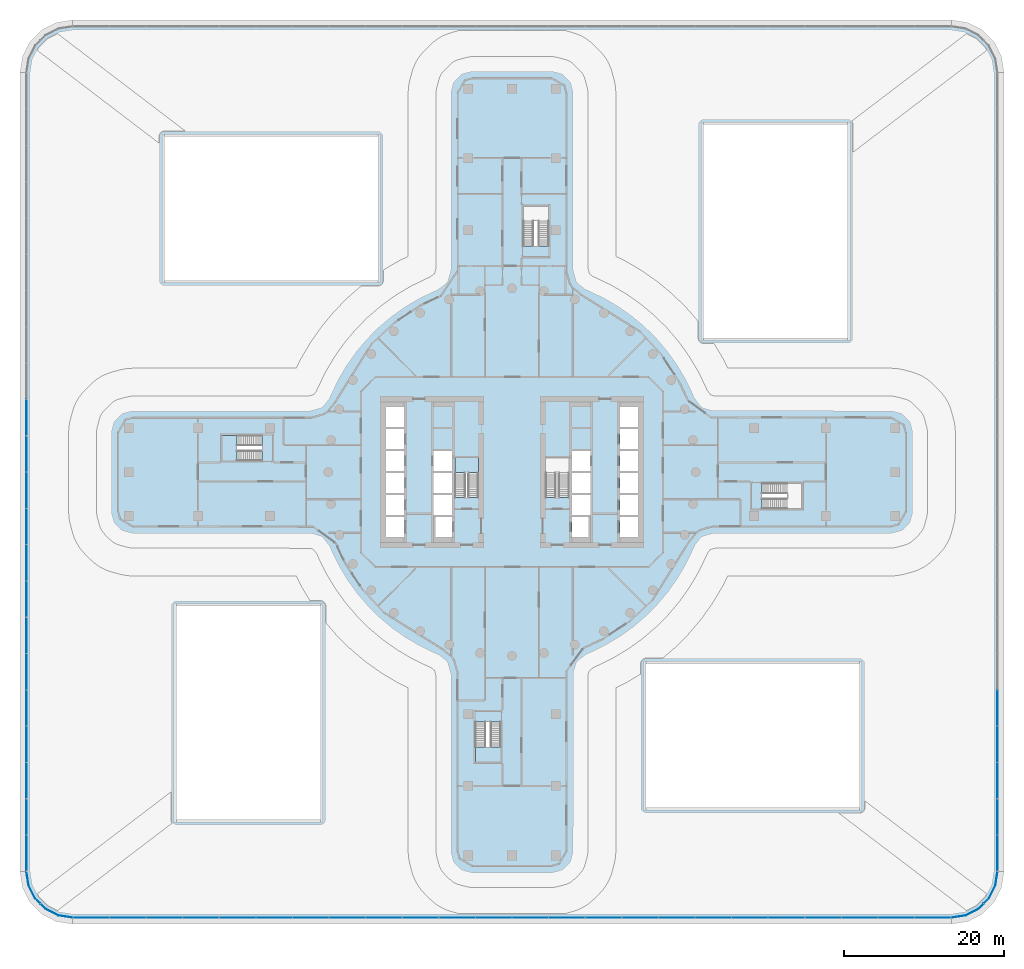
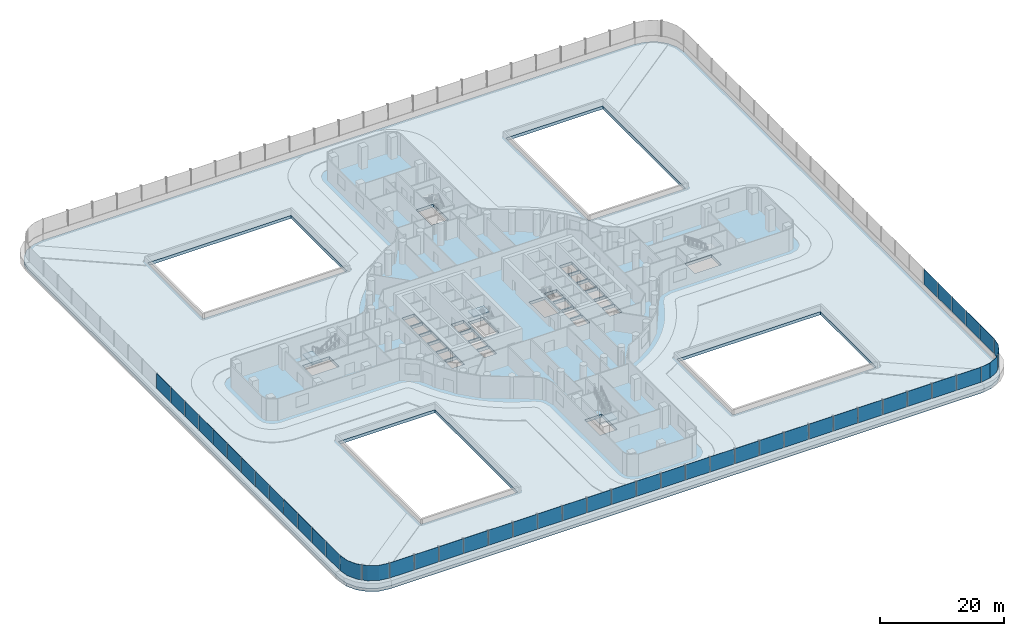
# One storey, part 20 of 37: 46 plates, 4 slabs, 8 elements without a shape of their own.
"""IFC4 building model written with IfcOpenShell, lengths in metres."""

import ifcopenshell
import ifcopenshell.guid

model = None  # the IFC model being written
_history = None  # IfcOwnerHistory: only IFC2X3 demands one
_inside = {}  # id of a spatial element -> (the spatial element, [elements in it])
_under = {}  # id of a project, library or spatial element -> (it, [spatial elements below it])
_declared = {}  # id of a project -> (the project, [libraries it declares])
_typed = {}  # id of a type object -> (the type object, [elements of that type])
_made_of = {}  # id of a material, layer set ... -> (it, [elements and type objects made of it])


def new_model(schema):
    """Start an empty IFC model of exactly this schema.

    Asked for "IFC4X3", IfcOpenShell would pick the latest addendum, in which some entities
    have other attributes; the version numbers below select the first issue.
    IFC2X3 requires an IfcOwnerHistory on every rooted entity: one is made here for all.
    """
    global model, _history
    if schema == "IFC4X3":
        model = ifcopenshell.file(schema_version=(4, 3, 0, 0))
    else:
        model = ifcopenshell.file(schema=schema)
    _inside.clear()
    _under.clear()
    _declared.clear()
    _typed.clear()
    _made_of.clear()
    _history = None
    if model.schema == "IFC2X3":
        org = make("IfcOrganization", Name="unknown")
        user = make(
            "IfcPersonAndOrganization",
            ThePerson=make("IfcPerson", FamilyName="unknown"),
            TheOrganization=org,
        )
        app = make(
            "IfcApplication",
            ApplicationDeveloper=org,
            Version="unknown",
            ApplicationFullName="unknown",
            ApplicationIdentifier="unknown",
        )
        _history = make(
            "IfcOwnerHistory",
            OwningUser=user,
            OwningApplication=app,
            ChangeAction="ADDED",
            CreationDate=0,
        )
    return model


def make(cls, **values):
    """One entity of the class cls with the attributes given. An attribute that is None is left unset."""
    return model.create_entity(
        cls, **{name: value for name, value in values.items() if value is not None}
    )


def rooted(cls, **values):
    """An entity with a GlobalId (a new one), such as an element, a storey or a relation."""
    return make(cls, GlobalId=ifcopenshell.guid.new(), OwnerHistory=_history, **values)


def si_unit(unit_type, name, prefix=None):
    """IfcSIUnit, for example si_unit("LENGTHUNIT", "METRE", prefix="MILLI")."""
    return make("IfcSIUnit", UnitType=unit_type, Prefix=prefix, Name=name)


def assignment(units):
    """IfcUnitAssignment: the units of a project."""
    return None if units is None else make("IfcUnitAssignment", Units=units)


def point(xyz):
    """IfcCartesianPoint."""
    return None if xyz is None else make("IfcCartesianPoint", Coordinates=xyz)


def direction(xyz):
    """IfcDirection."""
    return None if xyz is None else make("IfcDirection", DirectionRatios=xyz)


def frame(location, z_axis=None, x_axis=None):
    """IfcAxis2Placement3D, a coordinate frame: its origin and axes. An axis left out is left unset."""
    return make(
        "IfcAxis2Placement3D",
        Location=point(location),
        Axis=direction(z_axis),
        RefDirection=direction(x_axis),
    )


def origin():
    """The frame at (0, 0, 0) with its axes left unset."""
    return frame((0.0, 0.0, 0.0))


def place(relative_to, where):
    """IfcLocalPlacement: puts the frame where relative to a parent placement (None: the world)."""
    return make(
        "IfcLocalPlacement", PlacementRelTo=relative_to, RelativePlacement=where
    )


def context(
    kind, dimensions, precision=None, world=None, true_north=None, identifier=None
):
    """IfcGeometricRepresentationContext, for example the 3D "Model" context."""
    return make(
        "IfcGeometricRepresentationContext",
        ContextIdentifier=identifier,
        ContextType=kind,
        CoordinateSpaceDimension=dimensions,
        Precision=precision,
        WorldCoordinateSystem=world,
        TrueNorth=true_north,
    )


def subcontext(parent, identifier, kind, view, scale=None):
    """IfcGeometricRepresentationSubContext, for example "Body" below "Model"."""
    return make(
        "IfcGeometricRepresentationSubContext",
        ContextIdentifier=identifier,
        ContextType=kind,
        ParentContext=parent,
        TargetScale=scale,
        TargetView=view,
    )


def project(units=None, contexts=None):
    """IfcProject with its units and contexts."""
    return rooted(
        "IfcProject",
        Name="project",
        RepresentationContexts=contexts,
        UnitsInContext=assignment(units),
    )


def spatial(cls, under=None, at=None, **own):
    """A site, building, storey or space (cls), placed at a placement, below another one or the project."""
    s = rooted(cls, ObjectPlacement=at, **own)
    if under is not None:
        _under.setdefault(under.id(), (under, []))[1].append(s)
    return s


def polyline(points):
    """IfcPolyline through the points."""
    return make("IfcPolyline", Points=[point(p) for p in points])


def outline(outer, holes=None, kind="AREA"):
    """IfcArbitraryClosedProfileDef: a profile drawn as a closed curve; with holes, ...WithVoids."""
    if holes is None:
        return make("IfcArbitraryClosedProfileDef", ProfileType=kind, OuterCurve=outer)
    return make(
        "IfcArbitraryProfileDefWithVoids",
        ProfileType=kind,
        OuterCurve=outer,
        InnerCurves=holes,
    )


def extrude(swept, where, along, depth):
    """IfcExtrudedAreaSolid: the profile swept, set in the frame where, extruded along a direction by depth."""
    return make(
        "IfcExtrudedAreaSolid",
        SweptArea=swept,
        Position=where,
        ExtrudedDirection=direction(along),
        Depth=depth,
    )


def shape(context_of_items, identifier, shape_type, items):
    """IfcShapeRepresentation: the items that make up one representation, for example the "Body"."""
    return make(
        "IfcShapeRepresentation",
        ContextOfItems=context_of_items,
        RepresentationIdentifier=identifier,
        RepresentationType=shape_type,
        Items=items,
    )


def material(Name=None, Category=None):
    """IfcMaterial."""
    return make("IfcMaterial", Name=Name, Category=Category)


def layer(
    of_material, thickness, ventilated=None, Name=None, Category=None, Priority=None
):
    """IfcMaterialLayer: one layer of a wall or slab, of a material (None: an air gap)."""
    return make(
        "IfcMaterialLayer",
        Material=of_material,
        LayerThickness=thickness,
        IsVentilated=ventilated,
        Name=Name,
        Category=Category,
        Priority=Priority,
    )


def layer_set(layers, Name=None):
    """IfcMaterialLayerSet."""
    return make("IfcMaterialLayerSet", MaterialLayers=layers, LayerSetName=Name)


def made_of(thing, what):
    """Note that an element or type object is made of a material, layer set ...; save() writes the relation."""
    if what is not None:
        _made_of.setdefault(what.id(), (what, []))[1].append(thing)
    return thing


def type_object(cls, material=None, **own):
    """A type object (cls), such as IfcWallType, which elements share."""
    return made_of(rooted(cls, **own), material)


def element(
    cls,
    number,
    at=None,
    inside=None,
    cuts=None,
    type_object=None,
    material=None,
    context=None,
    identifier="Body",
    shape_type=None,
    held_by="IfcProductDefinitionShape",
    body=None,
    shapes=None,
    **own,
):
    """One element of the class cls, such as IfcWall. Its Tag is "e" and its number.

    at: its placement. inside: the storey or other place that contains it. cuts: it is an
    opening in that element (IfcRelVoidsElement). A single representation is given by context,
    identifier, shape_type and body (its items); several are given by shapes. held_by: the class
    of the entity that holds the representations. save() writes the other relations.
    """
    e = rooted(cls, Tag="e%d" % number, ObjectPlacement=at, **own)
    if body is not None:
        shapes = [shape(context, identifier, shape_type, body)]
    if shapes is not None:
        e.Representation = make(held_by, Representations=shapes)
    if inside is not None:
        _inside.setdefault(inside.id(), (inside, []))[1].append(e)
    if cuts is not None:
        rooted(
            "IfcRelVoidsElement", RelatingBuildingElement=cuts, RelatedOpeningElement=e
        )
    if type_object is not None:
        _typed.setdefault(type_object.id(), (type_object, []))[1].append(e)
    return made_of(e, material)


def aggregate(whole, parts):
    """IfcRelAggregates: a whole, such as a stair, and the parts it consists of."""
    return rooted("IfcRelAggregates", RelatingObject=whole, RelatedObjects=parts)


def save(model, path):
    """Write the relations noted so far, then the file.

    IfcRelAggregates (storeys below a building ...), IfcRelContainedInSpatialStructure (elements
    in a storey), IfcRelDefinesByType, IfcRelAssociatesMaterial and IfcRelDeclares: one each for
    every whole, place, type object, material and project.
    """
    for whole, parts in _under.values():
        aggregate(whole, parts)
    for where, things in _inside.values():
        rooted(
            "IfcRelContainedInSpatialStructure",
            RelatedElements=things,
            RelatingStructure=where,
        )
    for kind, things in _typed.values():
        rooted("IfcRelDefinesByType", RelatedObjects=things, RelatingType=kind)
    for what, things in _made_of.values():
        rooted("IfcRelAssociatesMaterial", RelatedObjects=things, RelatingMaterial=what)
    for by, libraries in _declared.values():
        rooted("IfcRelDeclares", RelatingContext=by, RelatedDefinitions=libraries)
    model.write(path)


model = new_model("IFC4")

# Units and contexts
model_context = context("Model", 3, precision=1e-05, world=origin(), true_north=direction((0.0, 1.0)))
body_context = subcontext(model_context, "Body", "Model", "MODEL_VIEW")
ifc_project = project(units=[si_unit("LENGTHUNIT", "METRE"), si_unit("AREAUNIT", "SQUARE_METRE"), si_unit("VOLUMEUNIT", "CUBIC_METRE"), si_unit("PLANEANGLEUNIT", "RADIAN"), si_unit("MASSUNIT", "GRAM", prefix="KILO")], contexts=[model_context])

# Site, building, storey
site_placement = place(None, origin())
site = spatial("IfcSite", under=ifc_project, at=site_placement, CompositionType="ELEMENT")
building_placement = place(site_placement, origin())
building = spatial("IfcBuilding", under=site, at=building_placement, Name="Tamarind Cross Interchange Tower", CompositionType="ELEMENT")
storey_placement = place(building_placement, frame((0.0, 0.0, 29.5)))
storey = spatial("IfcBuildingStorey", under=building, at=storey_placement, Name="L05", CompositionType="ELEMENT", Elevation=29.5)

# Stair, slab
ifc_material_1 = material(Name="Exit stair")
stair_type = type_object("IfcStairType", Name="Exit stair", PredefinedType="HALF_TURN_STAIR", material=ifc_material_1)
stair_1_placement = place(storey_placement, origin())
stair_1 = element("IfcStair", 1, at=stair_1_placement, inside=storey, type_object=stair_type, Name="L05 exit stair ST1", PredefinedType="HALF_TURN_STAIR")
ifc_material_2 = material(Name="Concrete C40", Category="concrete")
ifc_layer_1 = layer(ifc_material_2, 0.199951171875)
ifc_layer_set_1 = layer_set([ifc_layer_1], Name="Concrete C40")
slab_type_1 = type_object("IfcSlabType", Name="Stair landing", PredefinedType="LANDING", material=ifc_layer_set_1)
slab_1_placement = place(storey_placement, frame((0.0, 0.0, 2.050048828125)))
slab_1 = element("IfcSlab", 2, at=slab_1_placement, type_object=slab_type_1, Name="ST1 landing 1", PredefinedType="LANDING", context=body_context, shape_type="SweptSolid", body=[
    extrude(outline(polyline([(-4.199951171875, -0.080078125), (-4.199951171875, 1.800048828125), (-7.14990234375, 1.800048828125), (-7.14990234375, -0.080078125), (-4.199951171875, -0.080078125)])), origin(), (0.0, 0.0, 1.0), 0.199951171875),
])
aggregate(stair_1, [slab_1])

stair_2_placement = place(storey_placement, origin())
stair_2 = element("IfcStair", 3, at=stair_2_placement, inside=storey, type_object=stair_type, Name="L05 exit stair ST5", PredefinedType="HALF_TURN_STAIR")
slab_2_placement = place(storey_placement, frame((0.0, 0.0, 2.050048828125)))
slab_2 = element("IfcSlab", 4, at=slab_2_placement, type_object=slab_type_1, Name="ST5 landing 1", PredefinedType="LANDING", context=body_context, shape_type="SweptSolid", body=[
    extrude(outline(polyline([(-34.407958984375, 4.60009765625), (-36.300048828125, 4.60009765625), (-36.300048828125, 1.39990234375), (-34.407958984375, 1.39990234375), (-34.407958984375, 4.60009765625)])), origin(), (0.0, 0.0, 1.0), 0.199951171875),
])
aggregate(stair_2, [slab_2])

stair_3_placement = place(storey_placement, origin())
stair_3 = element("IfcStair", 5, at=stair_3_placement, inside=storey, type_object=stair_type, Name="L05 exit stair ST6", PredefinedType="HALF_TURN_STAIR")
slab_3_placement = place(storey_placement, frame((0.0, 0.0, 2.050048828125)))
slab_3 = element("IfcSlab", 6, at=slab_3_placement, type_object=slab_type_1, Name="ST6 landing 1", PredefinedType="LANDING", context=body_context, shape_type="SweptSolid", body=[
    extrude(outline(polyline([(-4.60009765625, -34.407958984375), (-4.60009765625, -36.300048828125), (-1.39990234375, -36.300048828125), (-1.39990234375, -34.407958984375), (-4.60009765625, -34.407958984375)])), origin(), (0.0, 0.0, 1.0), 0.199951171875),
])
aggregate(stair_3, [slab_3])

# Slab
ifc_material_3 = material(Name="Concrete C50", Category="concrete")
ifc_layer_2 = layer(ifc_material_3, 0.60009765625)
ifc_layer_set_2 = layer_set([ifc_layer_2], Name="Concrete C50")
slab_type_2 = type_object("IfcSlabType", Name="Transfer slab 600 Concrete C50", PredefinedType="FLOOR", material=ifc_layer_set_2)
slab_4_placement = place(storey_placement, frame((0.0, 0.0, -0.60009765625)))
element("IfcSlab", 7, at=slab_4_placement, inside=storey, type_object=slab_type_2, Name="Floor slab L05", PredefinedType="FLOOR", context=body_context, shape_type="SweptSolid", body=[
    extrude(outline(polyline([(-56.85400390625, -55.706298828125), (-55.0, -56.0), (55.0, -56.0), (56.85400390625, -55.706298828125), (58.526611328125, -54.85400390625), (59.85400390625, -53.526611328125), (60.706298828125, -51.85400390625), (61.0, -50.0), (61.0, 50.0), (60.706298828125, 51.85400390625), (59.85400390625, 53.526611328125), (58.526611328125, 54.85400390625), (56.85400390625, 55.706298828125), (55.0, 56.0), (-55.0, 56.0), (-56.85400390625, 55.706298828125), (-58.526611328125, 54.85400390625), (-59.85400390625, 53.526611328125), (-60.706298828125, 51.85400390625), (-61.0, 50.0), (-61.0, -50.0), (-60.706298828125, -51.85400390625), (-59.85400390625, -53.526611328125), (-58.526611328125, -54.85400390625), (-56.85400390625, -55.706298828125)]), holes=[polyline([(-4.60009765625, -31.31201171875), (-1.39990234375, -31.31201171875), (-1.39990234375, -36.300048828125), (-4.60009765625, -36.300048828125), (-4.60009765625, -31.31201171875)]), polyline([(-42.0, -43.5), (-42.0, -16.800048828125), (-24.0, -16.800048828125), (-24.0, -43.5), (-42.0, -43.5)]), polyline([(-13.5, -8.125), (-15.800048828125, -8.125), (-15.800048828125, -5.625), (-13.5, -5.625), (-13.5, -8.125)]), polyline([(-7.5, -8.125), (-9.800048828125, -8.125), (-9.800048828125, -5.625), (-7.5, -5.625), (-7.5, -8.125)]), polyline([(-13.5, -5.375), (-15.800048828125, -5.375), (-15.800048828125, -2.875), (-13.5, -2.875), (-13.5, -5.375)]), polyline([(-7.5, -5.375), (-9.800048828125, -5.375), (-9.800048828125, -2.875), (-7.5, -2.875), (-7.5, -5.375)]), polyline([(-13.5, -2.625), (-15.800048828125, -2.625), (-15.800048828125, -0.125), (-13.5, -0.125), (-13.5, -2.625)]), polyline([(-7.5, -2.625), (-9.800048828125, -2.625), (-9.800048828125, -0.125), (-7.5, -0.125), (-7.5, -2.625)]), polyline([(-4.199951171875, 1.800048828125), (-4.199951171875, -3.18798828125), (-7.14990234375, -3.18798828125), (-7.14990234375, 1.800048828125), (-4.199951171875, 1.800048828125)]), polyline([(-13.5, 0.125), (-15.800048828125, 0.125), (-15.800048828125, 2.625), (-13.5, 2.625), (-13.5, 0.125)]), polyline([(-7.5, 0.125), (-9.800048828125, 0.125), (-9.800048828125, 2.625), (-7.5, 2.625), (-7.5, 0.125)]), polyline([(-31.31201171875, 1.39990234375), (-36.300048828125, 1.39990234375), (-36.300048828125, 4.60009765625), (-31.31201171875, 4.60009765625), (-31.31201171875, 1.39990234375)]), polyline([(-13.5, 2.875), (-15.800048828125, 2.875), (-15.800048828125, 5.375), (-13.5, 5.375), (-13.5, 2.875)]), polyline([(-13.5, 5.625), (-15.800048828125, 5.625), (-15.800048828125, 8.125), (-13.5, 8.125), (-13.5, 5.625)]), polyline([(-43.5, 24.0), (-43.5, 42.0), (-16.800048828125, 42.0), (-16.800048828125, 24.0), (-43.5, 24.0)]), polyline([(43.5, -42.0), (16.800048828125, -42.0), (16.800048828125, -24.0), (43.5, -24.0), (43.5, -42.0)]), polyline([(7.5, -5.625), (9.800048828125, -5.625), (9.800048828125, -8.125), (7.5, -8.125), (7.5, -5.625)]), polyline([(13.5, -5.625), (15.800048828125, -5.625), (15.800048828125, -8.125), (13.5, -8.125), (13.5, -5.625)]), polyline([(7.5, -2.875), (9.800048828125, -2.875), (9.800048828125, -5.375), (7.5, -5.375), (7.5, -2.875)]), polyline([(13.5, -2.875), (15.800048828125, -2.875), (15.800048828125, -5.375), (13.5, -5.375), (13.5, -2.875)]), polyline([(31.31201171875, -1.39990234375), (36.300048828125, -1.39990234375), (36.300048828125, -4.60009765625), (31.31201171875, -4.60009765625), (31.31201171875, -1.39990234375)]), polyline([(7.5, -0.125), (9.800048828125, -0.125), (9.800048828125, -2.625), (7.5, -2.625), (7.5, -0.125)]), polyline([(13.5, -0.125), (15.800048828125, -0.125), (15.800048828125, -2.625), (13.5, -2.625), (13.5, -0.125)]), polyline([(7.14990234375, 1.800048828125), (7.14990234375, -3.18798828125), (4.199951171875, -3.18798828125), (4.199951171875, 1.800048828125), (7.14990234375, 1.800048828125)]), polyline([(7.5, 2.625), (9.800048828125, 2.625), (9.800048828125, 0.125), (7.5, 0.125), (7.5, 2.625)]), polyline([(13.5, 2.625), (15.800048828125, 2.625), (15.800048828125, 0.125), (13.5, 0.125), (13.5, 2.625)]), polyline([(13.5, 5.375), (15.800048828125, 5.375), (15.800048828125, 2.875), (13.5, 2.875), (13.5, 5.375)]), polyline([(13.5, 8.125), (15.800048828125, 8.125), (15.800048828125, 5.625), (13.5, 5.625), (13.5, 8.125)]), polyline([(24.0, 16.800048828125), (24.0, 43.5), (42.0, 43.5), (42.0, 16.800048828125), (24.0, 16.800048828125)]), polyline([(1.39990234375, 28.31201171875), (1.39990234375, 33.300048828125), (4.60009765625, 33.300048828125), (4.60009765625, 28.31201171875), (1.39990234375, 28.31201171875)])]), origin(), (0.0, 0.0, 1.0), 0.60009765625),
])

# Curtain wall, plates
ifc_material_4 = material(Name="Aluminium 6063-T6", Category="aluminium")
ifc_layer_3 = layer(ifc_material_4, 0.179931640625)
ifc_layer_set_3 = layer_set([ifc_layer_3], Name="Aluminium 6063-T6")
curtain_wall_type = type_object("IfcCurtainWallType", Name="Sky lobby curtain wall, fire-resisting glazing", PredefinedType="NOTDEFINED", material=ifc_layer_set_3)
curtain_wall_1_placement = place(storey_placement, origin())
curtain_wall_1 = element("IfcCurtainWall", 8, at=curtain_wall_1_placement, inside=storey, type_object=curtain_wall_type, Name="CWS-L05-00", PredefinedType="NOTDEFINED")
ifc_material_5 = material(Name="Fire-resisting glass EI 60", Category="glass")
ifc_layer_4 = layer(ifc_material_5, 0.035888671875)
ifc_layer_set_4 = layer_set([ifc_layer_4], Name="Fire-resisting glass EI 60")
plate_type = type_object("IfcPlateType", Name="Vision panel CW4", PredefinedType="CURTAIN_PANEL", material=ifc_layer_set_4)
plate_1_placement = place(storey_placement, frame((0.0, 0.0, 1.39990234375)))
plate_1 = element("IfcPlate", 9, at=plate_1_placement, type_object=plate_type, Name="CWP-L05-00-00", PredefinedType="CURTAIN_PANEL", context=body_context, shape_type="SweptSolid", body=[
    extrude(outline(polyline([(60.781982421875, -49.9443359375), (60.781982421875, -45.480224609375), (60.818115234375, -45.480224609375), (60.818115234375, -49.9443359375), (60.781982421875, -49.9443359375)])), origin(), (0.0, 0.0, 1.0), 2.960205078125),
])
plate_2_placement = place(storey_placement, frame((0.0, 0.0, 1.39990234375)))
plate_2 = element("IfcPlate", 10, at=plate_2_placement, type_object=plate_type, Name="CWP-L05-00-01", PredefinedType="CURTAIN_PANEL", context=body_context, shape_type="SweptSolid", body=[
    extrude(outline(polyline([(60.781982421875, -45.400146484375), (60.781982421875, -40.936279296875), (60.818115234375, -40.936279296875), (60.818115234375, -45.400146484375), (60.781982421875, -45.400146484375)])), origin(), (0.0, 0.0, 1.0), 2.960205078125),
])
plate_3_placement = place(storey_placement, frame((0.0, 0.0, 1.39990234375)))
plate_3 = element("IfcPlate", 11, at=plate_3_placement, type_object=plate_type, Name="CWP-L05-00-02", PredefinedType="CURTAIN_PANEL", context=body_context, shape_type="SweptSolid", body=[
    extrude(outline(polyline([(60.781982421875, -40.856201171875), (60.781982421875, -36.39208984375), (60.818115234375, -36.39208984375), (60.818115234375, -40.856201171875), (60.781982421875, -40.856201171875)])), origin(), (0.0, 0.0, 1.0), 2.960205078125),
])
plate_4_placement = place(storey_placement, frame((0.0, 0.0, 1.39990234375)))
plate_4 = element("IfcPlate", 12, at=plate_4_placement, type_object=plate_type, Name="CWP-L05-00-03", PredefinedType="CURTAIN_PANEL", context=body_context, shape_type="SweptSolid", body=[
    extrude(outline(polyline([(60.781982421875, -36.312255859375), (60.781982421875, -31.84814453125), (60.818115234375, -31.84814453125), (60.818115234375, -36.312255859375), (60.781982421875, -36.312255859375)])), origin(), (0.0, 0.0, 1.0), 2.960205078125),
])
plate_5_placement = place(storey_placement, frame((0.0, 0.0, 1.39990234375)))
plate_5 = element("IfcPlate", 13, at=plate_5_placement, type_object=plate_type, Name="CWP-L05-00-04", PredefinedType="CURTAIN_PANEL", context=body_context, shape_type="SweptSolid", body=[
    extrude(outline(polyline([(60.781982421875, -31.76806640625), (60.781982421875, -27.30419921875), (60.818115234375, -27.30419921875), (60.818115234375, -31.76806640625), (60.781982421875, -31.76806640625)])), origin(), (0.0, 0.0, 1.0), 2.960205078125),
])
aggregate(curtain_wall_1, [plate_1, plate_2, plate_3, plate_4, plate_5])

curtain_wall_2_placement = place(storey_placement, origin())
curtain_wall_2 = element("IfcCurtainWall", 14, at=curtain_wall_2_placement, inside=storey, type_object=curtain_wall_type, Name="CWS-L05-04", PredefinedType="NOTDEFINED")
plate_6_placement = place(storey_placement, frame((0.0, 0.0, 1.39990234375)))
plate_6 = element("IfcPlate", 15, at=plate_6_placement, type_object=plate_type, Name="CWP-L05-04-09", PredefinedType="CURTAIN_PANEL", context=body_context, shape_type="SweptSolid", body=[
    extrude(outline(polyline([(-60.781982421875, 9.048095703125), (-60.781982421875, 4.583984375), (-60.818115234375, 4.583984375), (-60.818115234375, 9.048095703125), (-60.781982421875, 9.048095703125)])), origin(), (0.0, 0.0, 1.0), 2.960205078125),
])
plate_7_placement = place(storey_placement, frame((0.0, 0.0, 1.39990234375)))
plate_7 = element("IfcPlate", 16, at=plate_7_placement, type_object=plate_type, Name="CWP-L05-04-10", PredefinedType="CURTAIN_PANEL", context=body_context, shape_type="SweptSolid", body=[
    extrude(outline(polyline([(-60.781982421875, 4.50390625), (-60.781982421875, 0.0400390625), (-60.818115234375, 0.0400390625), (-60.818115234375, 4.50390625), (-60.781982421875, 4.50390625)])), origin(), (0.0, 0.0, 1.0), 2.960205078125),
])
plate_8_placement = place(storey_placement, frame((0.0, 0.0, 1.39990234375)))
plate_8 = element("IfcPlate", 17, at=plate_8_placement, type_object=plate_type, Name="CWP-L05-04-11", PredefinedType="CURTAIN_PANEL", context=body_context, shape_type="SweptSolid", body=[
    extrude(outline(polyline([(-60.781982421875, -0.0400390625), (-60.781982421875, -4.50390625), (-60.818115234375, -4.50390625), (-60.818115234375, -0.0400390625), (-60.781982421875, -0.0400390625)])), origin(), (0.0, 0.0, 1.0), 2.960205078125),
])
plate_9_placement = place(storey_placement, frame((0.0, 0.0, 1.39990234375)))
plate_9 = element("IfcPlate", 18, at=plate_9_placement, type_object=plate_type, Name="CWP-L05-04-12", PredefinedType="CURTAIN_PANEL", context=body_context, shape_type="SweptSolid", body=[
    extrude(outline(polyline([(-60.781982421875, -4.583984375), (-60.781982421875, -9.048095703125), (-60.818115234375, -9.048095703125), (-60.818115234375, -4.583984375), (-60.781982421875, -4.583984375)])), origin(), (0.0, 0.0, 1.0), 2.960205078125),
])
plate_10_placement = place(storey_placement, frame((0.0, 0.0, 1.39990234375)))
plate_10 = element("IfcPlate", 19, at=plate_10_placement, type_object=plate_type, Name="CWP-L05-04-13", PredefinedType="CURTAIN_PANEL", context=body_context, shape_type="SweptSolid", body=[
    extrude(outline(polyline([(-60.781982421875, -9.1279296875), (-60.781982421875, -13.592041015625), (-60.818115234375, -13.592041015625), (-60.818115234375, -9.1279296875), (-60.781982421875, -9.1279296875)])), origin(), (0.0, 0.0, 1.0), 2.960205078125),
])
plate_11_placement = place(storey_placement, frame((0.0, 0.0, 1.39990234375)))
plate_11 = element("IfcPlate", 20, at=plate_11_placement, type_object=plate_type, Name="CWP-L05-04-14", PredefinedType="CURTAIN_PANEL", context=body_context, shape_type="SweptSolid", body=[
    extrude(outline(polyline([(-60.781982421875, -13.672119140625), (-60.781982421875, -18.135986328125), (-60.818115234375, -18.135986328125), (-60.818115234375, -13.672119140625), (-60.781982421875, -13.672119140625)])), origin(), (0.0, 0.0, 1.0), 2.960205078125),
])
plate_12_placement = place(storey_placement, frame((0.0, 0.0, 1.39990234375)))
plate_12 = element("IfcPlate", 21, at=plate_12_placement, type_object=plate_type, Name="CWP-L05-04-15", PredefinedType="CURTAIN_PANEL", context=body_context, shape_type="SweptSolid", body=[
    extrude(outline(polyline([(-60.781982421875, -18.216064453125), (-60.781982421875, -22.68017578125), (-60.818115234375, -22.68017578125), (-60.818115234375, -18.216064453125), (-60.781982421875, -18.216064453125)])), origin(), (0.0, 0.0, 1.0), 2.960205078125),
])
plate_13_placement = place(storey_placement, frame((0.0, 0.0, 1.39990234375)))
plate_13 = element("IfcPlate", 22, at=plate_13_placement, type_object=plate_type, Name="CWP-L05-04-16", PredefinedType="CURTAIN_PANEL", context=body_context, shape_type="SweptSolid", body=[
    extrude(outline(polyline([(-60.781982421875, -22.760009765625), (-60.781982421875, -27.22412109375), (-60.818115234375, -27.22412109375), (-60.818115234375, -22.760009765625), (-60.781982421875, -22.760009765625)])), origin(), (0.0, 0.0, 1.0), 2.960205078125),
])
plate_14_placement = place(storey_placement, frame((0.0, 0.0, 1.39990234375)))
plate_14 = element("IfcPlate", 23, at=plate_14_placement, type_object=plate_type, Name="CWP-L05-04-17", PredefinedType="CURTAIN_PANEL", context=body_context, shape_type="SweptSolid", body=[
    extrude(outline(polyline([(-60.781982421875, -27.30419921875), (-60.781982421875, -31.76806640625), (-60.818115234375, -31.76806640625), (-60.818115234375, -27.30419921875), (-60.781982421875, -27.30419921875)])), origin(), (0.0, 0.0, 1.0), 2.960205078125),
])
plate_15_placement = place(storey_placement, frame((0.0, 0.0, 1.39990234375)))
plate_15 = element("IfcPlate", 24, at=plate_15_placement, type_object=plate_type, Name="CWP-L05-04-18", PredefinedType="CURTAIN_PANEL", context=body_context, shape_type="SweptSolid", body=[
    extrude(outline(polyline([(-60.781982421875, -31.84814453125), (-60.781982421875, -36.312255859375), (-60.818115234375, -36.312255859375), (-60.818115234375, -31.84814453125), (-60.781982421875, -31.84814453125)])), origin(), (0.0, 0.0, 1.0), 2.960205078125),
])
plate_16_placement = place(storey_placement, frame((0.0, 0.0, 1.39990234375)))
plate_16 = element("IfcPlate", 25, at=plate_16_placement, type_object=plate_type, Name="CWP-L05-04-19", PredefinedType="CURTAIN_PANEL", context=body_context, shape_type="SweptSolid", body=[
    extrude(outline(polyline([(-60.781982421875, -36.39208984375), (-60.781982421875, -40.856201171875), (-60.818115234375, -40.856201171875), (-60.818115234375, -36.39208984375), (-60.781982421875, -36.39208984375)])), origin(), (0.0, 0.0, 1.0), 2.960205078125),
])
plate_17_placement = place(storey_placement, frame((0.0, 0.0, 1.39990234375)))
plate_17 = element("IfcPlate", 26, at=plate_17_placement, type_object=plate_type, Name="CWP-L05-04-20", PredefinedType="CURTAIN_PANEL", context=body_context, shape_type="SweptSolid", body=[
    extrude(outline(polyline([(-60.781982421875, -40.936279296875), (-60.781982421875, -45.400146484375), (-60.818115234375, -45.400146484375), (-60.818115234375, -40.936279296875), (-60.781982421875, -40.936279296875)])), origin(), (0.0, 0.0, 1.0), 2.960205078125),
])
plate_18_placement = place(storey_placement, frame((0.0, 0.0, 1.39990234375)))
plate_18 = element("IfcPlate", 27, at=plate_18_placement, type_object=plate_type, Name="CWP-L05-04-21", PredefinedType="CURTAIN_PANEL", context=body_context, shape_type="SweptSolid", body=[
    extrude(outline(polyline([(-60.781982421875, -45.480224609375), (-60.781982421875, -49.9443359375), (-60.818115234375, -49.9443359375), (-60.818115234375, -45.480224609375), (-60.781982421875, -45.480224609375)])), origin(), (0.0, 0.0, 1.0), 2.960205078125),
])
aggregate(curtain_wall_2, [plate_6, plate_7, plate_8, plate_9, plate_10, plate_11, plate_12, plate_13, plate_14, plate_15, plate_16, plate_17, plate_18])

curtain_wall_3_placement = place(storey_placement, origin())
curtain_wall_3 = element("IfcCurtainWall", 28, at=curtain_wall_3_placement, inside=storey, type_object=curtain_wall_type, Name="CWS-L05-05", PredefinedType="NOTDEFINED")
plate_19_placement = place(storey_placement, frame((0.0, 0.0, 1.39990234375)))
plate_19 = element("IfcPlate", 29, at=plate_19_placement, type_object=plate_type, Name="CWP-L05-05-00", PredefinedType="CURTAIN_PANEL", context=body_context, shape_type="SweptSolid", body=[
    extrude(outline(polyline([(-60.77587890625, -50.02099609375), (-60.496337890625, -51.785888671875), (-59.675537109375, -53.39697265625), (-59.064453125, -54.008056640625), (-59.090087890625, -54.033447265625), (-59.705078125, -53.41845703125), (-60.531005859375, -51.797119140625), (-60.8115234375, -50.026611328125), (-60.77587890625, -50.02099609375)])), origin(), (0.0, 0.0, 1.0), 2.960205078125),
])
plate_20_placement = place(storey_placement, frame((0.0, 0.0, 1.39990234375)))
plate_20 = element("IfcPlate", 30, at=plate_20_placement, type_object=plate_type, Name="CWP-L05-05-01", PredefinedType="CURTAIN_PANEL", context=body_context, shape_type="SweptSolid", body=[
    extrude(outline(polyline([(-59.008056640625, -54.064453125), (-58.39697265625, -54.675537109375), (-56.785888671875, -55.496337890625), (-55.02099609375, -55.77587890625), (-55.026611328125, -55.8115234375), (-56.797119140625, -55.531005859375), (-58.41845703125, -54.705078125), (-59.033447265625, -54.090087890625), (-59.008056640625, -54.064453125)])), origin(), (0.0, 0.0, 1.0), 2.960205078125),
])
aggregate(curtain_wall_3, [plate_19, plate_20])

curtain_wall_4_placement = place(storey_placement, origin())
curtain_wall_4 = element("IfcCurtainWall", 31, at=curtain_wall_4_placement, inside=storey, type_object=curtain_wall_type, Name="CWS-L05-06", PredefinedType="NOTDEFINED")
plate_21_placement = place(storey_placement, frame((0.0, 0.0, 1.39990234375)))
plate_21 = element("IfcPlate", 32, at=plate_21_placement, type_object=plate_type, Name="CWP-L05-06-00", PredefinedType="CURTAIN_PANEL", context=body_context, shape_type="SweptSolid", body=[
    extrude(outline(polyline([(-54.9443359375, -55.781982421875), (-50.442138671875, -55.781982421875), (-50.442138671875, -55.818115234375), (-54.9443359375, -55.818115234375), (-54.9443359375, -55.781982421875)])), origin(), (0.0, 0.0, 1.0), 2.960205078125),
])
plate_22_placement = place(storey_placement, frame((0.0, 0.0, 1.39990234375)))
plate_22 = element("IfcPlate", 33, at=plate_22_placement, type_object=plate_type, Name="CWP-L05-06-01", PredefinedType="CURTAIN_PANEL", context=body_context, shape_type="SweptSolid", body=[
    extrude(outline(polyline([(-50.3623046875, -55.781982421875), (-45.860107421875, -55.781982421875), (-45.860107421875, -55.818115234375), (-50.3623046875, -55.818115234375), (-50.3623046875, -55.781982421875)])), origin(), (0.0, 0.0, 1.0), 2.960205078125),
])
plate_23_placement = place(storey_placement, frame((0.0, 0.0, 1.39990234375)))
plate_23 = element("IfcPlate", 34, at=plate_23_placement, type_object=plate_type, Name="CWP-L05-06-02", PredefinedType="CURTAIN_PANEL", context=body_context, shape_type="SweptSolid", body=[
    extrude(outline(polyline([(-45.7802734375, -55.781982421875), (-41.278076171875, -55.781982421875), (-41.278076171875, -55.818115234375), (-45.7802734375, -55.818115234375), (-45.7802734375, -55.781982421875)])), origin(), (0.0, 0.0, 1.0), 2.960205078125),
])
plate_24_placement = place(storey_placement, frame((0.0, 0.0, 1.39990234375)))
plate_24 = element("IfcPlate", 35, at=plate_24_placement, type_object=plate_type, Name="CWP-L05-06-03", PredefinedType="CURTAIN_PANEL", context=body_context, shape_type="SweptSolid", body=[
    extrude(outline(polyline([(-41.1982421875, -55.781982421875), (-36.6962890625, -55.781982421875), (-36.6962890625, -55.818115234375), (-41.1982421875, -55.818115234375), (-41.1982421875, -55.781982421875)])), origin(), (0.0, 0.0, 1.0), 2.960205078125),
])
plate_25_placement = place(storey_placement, frame((0.0, 0.0, 1.39990234375)))
plate_25 = element("IfcPlate", 36, at=plate_25_placement, type_object=plate_type, Name="CWP-L05-06-04", PredefinedType="CURTAIN_PANEL", context=body_context, shape_type="SweptSolid", body=[
    extrude(outline(polyline([(-36.6162109375, -55.781982421875), (-32.1142578125, -55.781982421875), (-32.1142578125, -55.818115234375), (-36.6162109375, -55.818115234375), (-36.6162109375, -55.781982421875)])), origin(), (0.0, 0.0, 1.0), 2.960205078125),
])
plate_26_placement = place(storey_placement, frame((0.0, 0.0, 1.39990234375)))
plate_26 = element("IfcPlate", 37, at=plate_26_placement, type_object=plate_type, Name="CWP-L05-06-05", PredefinedType="CURTAIN_PANEL", context=body_context, shape_type="SweptSolid", body=[
    extrude(outline(polyline([(-32.0341796875, -55.781982421875), (-27.5322265625, -55.781982421875), (-27.5322265625, -55.818115234375), (-32.0341796875, -55.818115234375), (-32.0341796875, -55.781982421875)])), origin(), (0.0, 0.0, 1.0), 2.960205078125),
])
plate_27_placement = place(storey_placement, frame((0.0, 0.0, 1.39990234375)))
plate_27 = element("IfcPlate", 38, at=plate_27_placement, type_object=plate_type, Name="CWP-L05-06-06", PredefinedType="CURTAIN_PANEL", context=body_context, shape_type="SweptSolid", body=[
    extrude(outline(polyline([(-27.4521484375, -55.781982421875), (-22.9501953125, -55.781982421875), (-22.9501953125, -55.818115234375), (-27.4521484375, -55.818115234375), (-27.4521484375, -55.781982421875)])), origin(), (0.0, 0.0, 1.0), 2.960205078125),
])
plate_28_placement = place(storey_placement, frame((0.0, 0.0, 1.39990234375)))
plate_28 = element("IfcPlate", 39, at=plate_28_placement, type_object=plate_type, Name="CWP-L05-06-07", PredefinedType="CURTAIN_PANEL", context=body_context, shape_type="SweptSolid", body=[
    extrude(outline(polyline([(-22.8701171875, -55.781982421875), (-18.3681640625, -55.781982421875), (-18.3681640625, -55.818115234375), (-22.8701171875, -55.818115234375), (-22.8701171875, -55.781982421875)])), origin(), (0.0, 0.0, 1.0), 2.960205078125),
])
plate_29_placement = place(storey_placement, frame((0.0, 0.0, 1.39990234375)))
plate_29 = element("IfcPlate", 40, at=plate_29_placement, type_object=plate_type, Name="CWP-L05-06-08", PredefinedType="CURTAIN_PANEL", context=body_context, shape_type="SweptSolid", body=[
    extrude(outline(polyline([(-18.2880859375, -55.781982421875), (-13.7861328125, -55.781982421875), (-13.7861328125, -55.818115234375), (-18.2880859375, -55.818115234375), (-18.2880859375, -55.781982421875)])), origin(), (0.0, 0.0, 1.0), 2.960205078125),
])
plate_30_placement = place(storey_placement, frame((0.0, 0.0, 1.39990234375)))
plate_30 = element("IfcPlate", 41, at=plate_30_placement, type_object=plate_type, Name="CWP-L05-06-09", PredefinedType="CURTAIN_PANEL", context=body_context, shape_type="SweptSolid", body=[
    extrude(outline(polyline([(-13.7060546875, -55.781982421875), (-9.2041015625, -55.781982421875), (-9.2041015625, -55.818115234375), (-13.7060546875, -55.818115234375), (-13.7060546875, -55.781982421875)])), origin(), (0.0, 0.0, 1.0), 2.960205078125),
])
plate_31_placement = place(storey_placement, frame((0.0, 0.0, 1.39990234375)))
plate_31 = element("IfcPlate", 42, at=plate_31_placement, type_object=plate_type, Name="CWP-L05-06-10", PredefinedType="CURTAIN_PANEL", context=body_context, shape_type="SweptSolid", body=[
    extrude(outline(polyline([(-9.1240234375, -55.781982421875), (-4.6220703125, -55.781982421875), (-4.6220703125, -55.818115234375), (-9.1240234375, -55.818115234375), (-9.1240234375, -55.781982421875)])), origin(), (0.0, 0.0, 1.0), 2.960205078125),
])
plate_32_placement = place(storey_placement, frame((0.0, 0.0, 1.39990234375)))
plate_32 = element("IfcPlate", 43, at=plate_32_placement, type_object=plate_type, Name="CWP-L05-06-11", PredefinedType="CURTAIN_PANEL", context=body_context, shape_type="SweptSolid", body=[
    extrude(outline(polyline([(-4.5419921875, -55.781982421875), (-0.0400390625, -55.781982421875), (-0.0400390625, -55.818115234375), (-4.5419921875, -55.818115234375), (-4.5419921875, -55.781982421875)])), origin(), (0.0, 0.0, 1.0), 2.960205078125),
])
plate_33_placement = place(storey_placement, frame((0.0, 0.0, 1.39990234375)))
plate_33 = element("IfcPlate", 44, at=plate_33_placement, type_object=plate_type, Name="CWP-L05-06-12", PredefinedType="CURTAIN_PANEL", context=body_context, shape_type="SweptSolid", body=[
    extrude(outline(polyline([(0.0400390625, -55.781982421875), (4.5419921875, -55.781982421875), (4.5419921875, -55.818115234375), (0.0400390625, -55.818115234375), (0.0400390625, -55.781982421875)])), origin(), (0.0, 0.0, 1.0), 2.960205078125),
])
plate_34_placement = place(storey_placement, frame((0.0, 0.0, 1.39990234375)))
plate_34 = element("IfcPlate", 45, at=plate_34_placement, type_object=plate_type, Name="CWP-L05-06-13", PredefinedType="CURTAIN_PANEL", context=body_context, shape_type="SweptSolid", body=[
    extrude(outline(polyline([(4.6220703125, -55.781982421875), (9.1240234375, -55.781982421875), (9.1240234375, -55.818115234375), (4.6220703125, -55.818115234375), (4.6220703125, -55.781982421875)])), origin(), (0.0, 0.0, 1.0), 2.960205078125),
])
plate_35_placement = place(storey_placement, frame((0.0, 0.0, 1.39990234375)))
plate_35 = element("IfcPlate", 46, at=plate_35_placement, type_object=plate_type, Name="CWP-L05-06-14", PredefinedType="CURTAIN_PANEL", context=body_context, shape_type="SweptSolid", body=[
    extrude(outline(polyline([(9.2041015625, -55.781982421875), (13.7060546875, -55.781982421875), (13.7060546875, -55.818115234375), (9.2041015625, -55.818115234375), (9.2041015625, -55.781982421875)])), origin(), (0.0, 0.0, 1.0), 2.960205078125),
])
plate_36_placement = place(storey_placement, frame((0.0, 0.0, 1.39990234375)))
plate_36 = element("IfcPlate", 47, at=plate_36_placement, type_object=plate_type, Name="CWP-L05-06-15", PredefinedType="CURTAIN_PANEL", context=body_context, shape_type="SweptSolid", body=[
    extrude(outline(polyline([(13.7861328125, -55.781982421875), (18.2880859375, -55.781982421875), (18.2880859375, -55.818115234375), (13.7861328125, -55.818115234375), (13.7861328125, -55.781982421875)])), origin(), (0.0, 0.0, 1.0), 2.960205078125),
])
plate_37_placement = place(storey_placement, frame((0.0, 0.0, 1.39990234375)))
plate_37 = element("IfcPlate", 48, at=plate_37_placement, type_object=plate_type, Name="CWP-L05-06-16", PredefinedType="CURTAIN_PANEL", context=body_context, shape_type="SweptSolid", body=[
    extrude(outline(polyline([(18.3681640625, -55.781982421875), (22.8701171875, -55.781982421875), (22.8701171875, -55.818115234375), (18.3681640625, -55.818115234375), (18.3681640625, -55.781982421875)])), origin(), (0.0, 0.0, 1.0), 2.960205078125),
])
plate_38_placement = place(storey_placement, frame((0.0, 0.0, 1.39990234375)))
plate_38 = element("IfcPlate", 49, at=plate_38_placement, type_object=plate_type, Name="CWP-L05-06-17", PredefinedType="CURTAIN_PANEL", context=body_context, shape_type="SweptSolid", body=[
    extrude(outline(polyline([(22.9501953125, -55.781982421875), (27.4521484375, -55.781982421875), (27.4521484375, -55.818115234375), (22.9501953125, -55.818115234375), (22.9501953125, -55.781982421875)])), origin(), (0.0, 0.0, 1.0), 2.960205078125),
])
plate_39_placement = place(storey_placement, frame((0.0, 0.0, 1.39990234375)))
plate_39 = element("IfcPlate", 50, at=plate_39_placement, type_object=plate_type, Name="CWP-L05-06-18", PredefinedType="CURTAIN_PANEL", context=body_context, shape_type="SweptSolid", body=[
    extrude(outline(polyline([(27.5322265625, -55.781982421875), (32.0341796875, -55.781982421875), (32.0341796875, -55.818115234375), (27.5322265625, -55.818115234375), (27.5322265625, -55.781982421875)])), origin(), (0.0, 0.0, 1.0), 2.960205078125),
])
plate_40_placement = place(storey_placement, frame((0.0, 0.0, 1.39990234375)))
plate_40 = element("IfcPlate", 51, at=plate_40_placement, type_object=plate_type, Name="CWP-L05-06-19", PredefinedType="CURTAIN_PANEL", context=body_context, shape_type="SweptSolid", body=[
    extrude(outline(polyline([(32.1142578125, -55.781982421875), (36.6162109375, -55.781982421875), (36.6162109375, -55.818115234375), (32.1142578125, -55.818115234375), (32.1142578125, -55.781982421875)])), origin(), (0.0, 0.0, 1.0), 2.960205078125),
])
plate_41_placement = place(storey_placement, frame((0.0, 0.0, 1.39990234375)))
plate_41 = element("IfcPlate", 52, at=plate_41_placement, type_object=plate_type, Name="CWP-L05-06-20", PredefinedType="CURTAIN_PANEL", context=body_context, shape_type="SweptSolid", body=[
    extrude(outline(polyline([(36.6962890625, -55.781982421875), (41.1982421875, -55.781982421875), (41.1982421875, -55.818115234375), (36.6962890625, -55.818115234375), (36.6962890625, -55.781982421875)])), origin(), (0.0, 0.0, 1.0), 2.960205078125),
])
plate_42_placement = place(storey_placement, frame((0.0, 0.0, 1.39990234375)))
plate_42 = element("IfcPlate", 53, at=plate_42_placement, type_object=plate_type, Name="CWP-L05-06-21", PredefinedType="CURTAIN_PANEL", context=body_context, shape_type="SweptSolid", body=[
    extrude(outline(polyline([(41.278076171875, -55.781982421875), (45.7802734375, -55.781982421875), (45.7802734375, -55.818115234375), (41.278076171875, -55.818115234375), (41.278076171875, -55.781982421875)])), origin(), (0.0, 0.0, 1.0), 2.960205078125),
])
plate_43_placement = place(storey_placement, frame((0.0, 0.0, 1.39990234375)))
plate_43 = element("IfcPlate", 54, at=plate_43_placement, type_object=plate_type, Name="CWP-L05-06-22", PredefinedType="CURTAIN_PANEL", context=body_context, shape_type="SweptSolid", body=[
    extrude(outline(polyline([(45.860107421875, -55.781982421875), (50.3623046875, -55.781982421875), (50.3623046875, -55.818115234375), (45.860107421875, -55.818115234375), (45.860107421875, -55.781982421875)])), origin(), (0.0, 0.0, 1.0), 2.960205078125),
])
plate_44_placement = place(storey_placement, frame((0.0, 0.0, 1.39990234375)))
plate_44 = element("IfcPlate", 55, at=plate_44_placement, type_object=plate_type, Name="CWP-L05-06-23", PredefinedType="CURTAIN_PANEL", context=body_context, shape_type="SweptSolid", body=[
    extrude(outline(polyline([(50.442138671875, -55.781982421875), (54.9443359375, -55.781982421875), (54.9443359375, -55.818115234375), (50.442138671875, -55.818115234375), (50.442138671875, -55.781982421875)])), origin(), (0.0, 0.0, 1.0), 2.960205078125),
])
aggregate(curtain_wall_4, [plate_21, plate_22, plate_23, plate_24, plate_25, plate_26, plate_27, plate_28, plate_29, plate_30, plate_31, plate_32, plate_33, plate_34, plate_35, plate_36, plate_37, plate_38, plate_39, plate_40, plate_41, plate_42, plate_43, plate_44])

curtain_wall_5_placement = place(storey_placement, origin())
curtain_wall_5 = element("IfcCurtainWall", 56, at=curtain_wall_5_placement, inside=storey, type_object=curtain_wall_type, Name="CWS-L05-07", PredefinedType="NOTDEFINED")
plate_45_placement = place(storey_placement, frame((0.0, 0.0, 1.39990234375)))
plate_45 = element("IfcPlate", 57, at=plate_45_placement, type_object=plate_type, Name="CWP-L05-07-00", PredefinedType="CURTAIN_PANEL", context=body_context, shape_type="SweptSolid", body=[
    extrude(outline(polyline([(55.02099609375, -55.77587890625), (56.785888671875, -55.496337890625), (58.39697265625, -54.675537109375), (59.008056640625, -54.064453125), (59.033447265625, -54.090087890625), (58.41845703125, -54.705078125), (56.797119140625, -55.531005859375), (55.026611328125, -55.8115234375), (55.02099609375, -55.77587890625)])), origin(), (0.0, 0.0, 1.0), 2.960205078125),
])
plate_46_placement = place(storey_placement, frame((0.0, 0.0, 1.39990234375)))
plate_46 = element("IfcPlate", 58, at=plate_46_placement, type_object=plate_type, Name="CWP-L05-07-01", PredefinedType="CURTAIN_PANEL", context=body_context, shape_type="SweptSolid", body=[
    extrude(outline(polyline([(59.064453125, -54.008056640625), (59.675537109375, -53.39697265625), (60.496337890625, -51.785888671875), (60.77587890625, -50.02099609375), (60.8115234375, -50.026611328125), (60.531005859375, -51.797119140625), (59.705078125, -53.41845703125), (59.090087890625, -54.033447265625), (59.064453125, -54.008056640625)])), origin(), (0.0, 0.0, 1.0), 2.960205078125),
])
aggregate(curtain_wall_5, [plate_45, plate_46])

save(model, "model.ifc")
